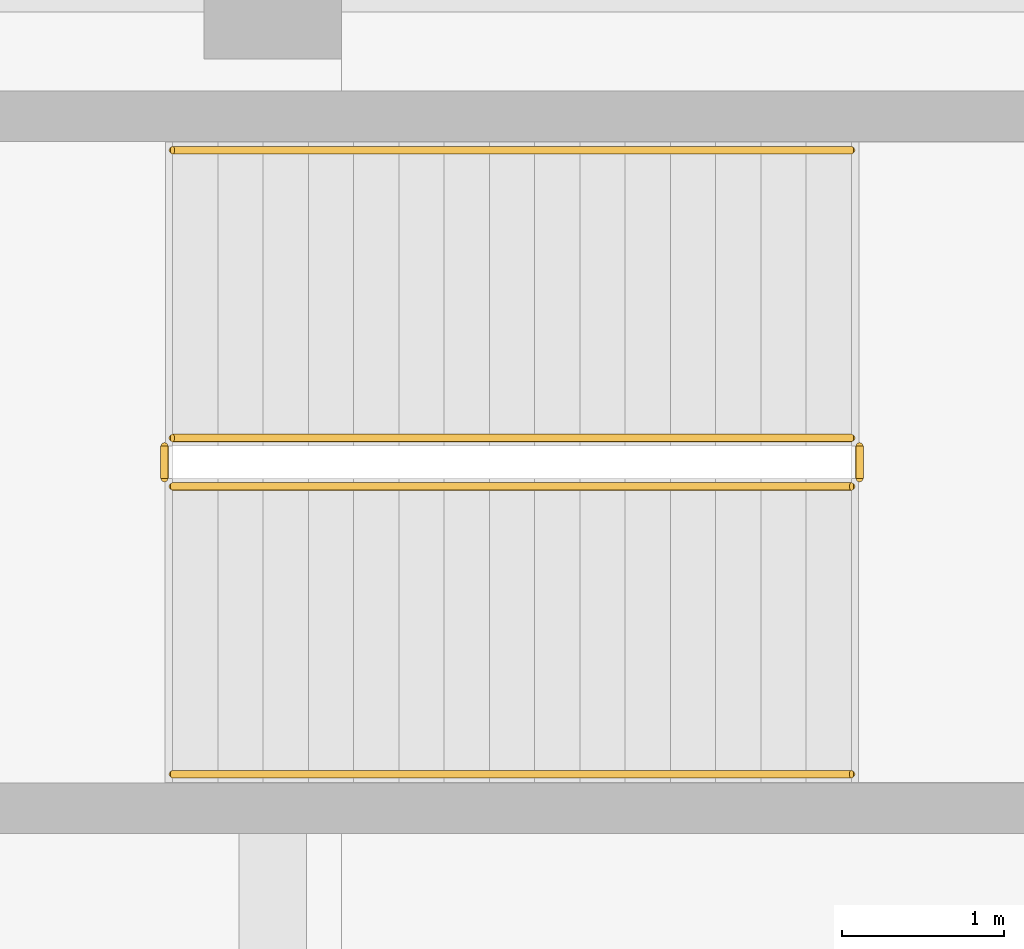
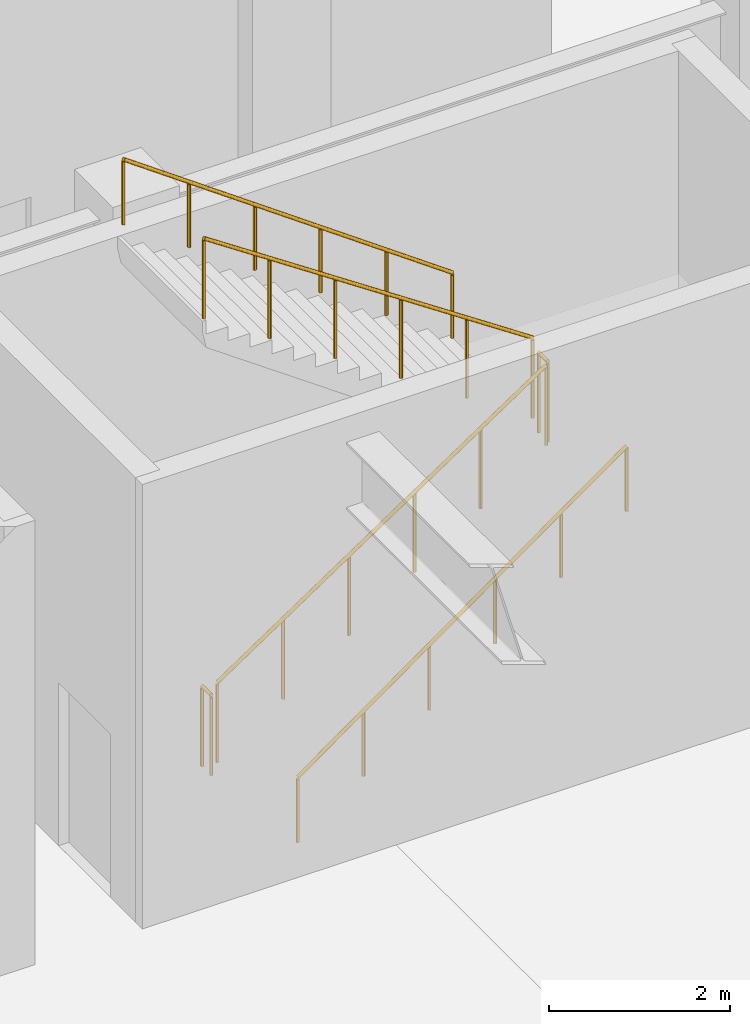
# One storey, part 45 of 49: 6 railings.
"""IFC4 building model written with IfcOpenShell, lengths in metres."""

import ifcopenshell
import ifcopenshell.guid

model = None  # the IFC model being written
_history = None  # IfcOwnerHistory: only IFC2X3 demands one
_inside = {}  # id of a spatial element -> (the spatial element, [elements in it])
_under = {}  # id of a project, library or spatial element -> (it, [spatial elements below it])
_declared = {}  # id of a project -> (the project, [libraries it declares])
_typed = {}  # id of a type object -> (the type object, [elements of that type])
_made_of = {}  # id of a material, layer set ... -> (it, [elements and type objects made of it])


def new_model(schema):
    """Start an empty IFC model of exactly this schema.

    Asked for "IFC4X3", IfcOpenShell would pick the latest addendum, in which some entities
    have other attributes; the version numbers below select the first issue.
    IFC2X3 requires an IfcOwnerHistory on every rooted entity: one is made here for all.
    """
    global model, _history
    if schema == "IFC4X3":
        model = ifcopenshell.file(schema_version=(4, 3, 0, 0))
    else:
        model = ifcopenshell.file(schema=schema)
    _inside.clear()
    _under.clear()
    _declared.clear()
    _typed.clear()
    _made_of.clear()
    _history = None
    if model.schema == "IFC2X3":
        org = make("IfcOrganization", Name="unknown")
        user = make(
            "IfcPersonAndOrganization",
            ThePerson=make("IfcPerson", FamilyName="unknown"),
            TheOrganization=org,
        )
        app = make(
            "IfcApplication",
            ApplicationDeveloper=org,
            Version="unknown",
            ApplicationFullName="unknown",
            ApplicationIdentifier="unknown",
        )
        _history = make(
            "IfcOwnerHistory",
            OwningUser=user,
            OwningApplication=app,
            ChangeAction="ADDED",
            CreationDate=0,
        )
    return model


def make(cls, **values):
    """One entity of the class cls with the attributes given. An attribute that is None is left unset."""
    return model.create_entity(
        cls, **{name: value for name, value in values.items() if value is not None}
    )


def rooted(cls, **values):
    """An entity with a GlobalId (a new one), such as an element, a storey or a relation."""
    return make(cls, GlobalId=ifcopenshell.guid.new(), OwnerHistory=_history, **values)


def si_unit(unit_type, name, prefix=None):
    """IfcSIUnit, for example si_unit("LENGTHUNIT", "METRE", prefix="MILLI")."""
    return make("IfcSIUnit", UnitType=unit_type, Prefix=prefix, Name=name)


def assignment(units):
    """IfcUnitAssignment: the units of a project."""
    return None if units is None else make("IfcUnitAssignment", Units=units)


def point(xyz):
    """IfcCartesianPoint."""
    return None if xyz is None else make("IfcCartesianPoint", Coordinates=xyz)


def direction(xyz):
    """IfcDirection."""
    return None if xyz is None else make("IfcDirection", DirectionRatios=xyz)


def frame(location, z_axis=None, x_axis=None):
    """IfcAxis2Placement3D, a coordinate frame: its origin and axes. An axis left out is left unset."""
    return make(
        "IfcAxis2Placement3D",
        Location=point(location),
        Axis=direction(z_axis),
        RefDirection=direction(x_axis),
    )


def frame_2d(location, x_axis=None):
    """IfcAxis2Placement2D, a coordinate frame in the plane: its origin and x axis."""
    return make(
        "IfcAxis2Placement2D", Location=point(location), RefDirection=direction(x_axis)
    )


def origin():
    """The frame at (0, 0, 0) with its axes left unset."""
    return frame((0.0, 0.0, 0.0))


def origin_2d():
    """The frame at (0, 0) in the plane with its x axis left unset."""
    return frame_2d((0.0, 0.0))


def place(relative_to, where):
    """IfcLocalPlacement: puts the frame where relative to a parent placement (None: the world)."""
    return make(
        "IfcLocalPlacement", PlacementRelTo=relative_to, RelativePlacement=where
    )


def context(
    kind, dimensions, precision=None, world=None, true_north=None, identifier=None
):
    """IfcGeometricRepresentationContext, for example the 3D "Model" context."""
    return make(
        "IfcGeometricRepresentationContext",
        ContextIdentifier=identifier,
        ContextType=kind,
        CoordinateSpaceDimension=dimensions,
        Precision=precision,
        WorldCoordinateSystem=world,
        TrueNorth=true_north,
    )


def subcontext(parent, identifier, kind, view, scale=None):
    """IfcGeometricRepresentationSubContext, for example "Body" below "Model"."""
    return make(
        "IfcGeometricRepresentationSubContext",
        ContextIdentifier=identifier,
        ContextType=kind,
        ParentContext=parent,
        TargetScale=scale,
        TargetView=view,
    )


def project(units=None, contexts=None):
    """IfcProject with its units and contexts."""
    return rooted(
        "IfcProject",
        Name="project",
        RepresentationContexts=contexts,
        UnitsInContext=assignment(units),
    )


def spatial(cls, under=None, at=None, **own):
    """A site, building, storey or space (cls), placed at a placement, below another one or the project."""
    s = rooted(cls, ObjectPlacement=at, **own)
    if under is not None:
        _under.setdefault(under.id(), (under, []))[1].append(s)
    return s


def profile(cls, at=None, kind="AREA", **sizes):
    """A parametric profile (cls). Its sizes go by their IFC names, for example OverallWidth=200.0."""
    return make(cls, ProfileType=kind, Position=at, **sizes)


def circle(**sizes):
    """IfcCircleProfileDef."""
    return profile("IfcCircleProfileDef", **sizes)


def extrude(swept, where, along, depth):
    """IfcExtrudedAreaSolid: the profile swept, set in the frame where, extruded along a direction by depth."""
    return make(
        "IfcExtrudedAreaSolid",
        SweptArea=swept,
        Position=where,
        ExtrudedDirection=direction(along),
        Depth=depth,
    )


def shape(context_of_items, identifier, shape_type, items):
    """IfcShapeRepresentation: the items that make up one representation, for example the "Body"."""
    return make(
        "IfcShapeRepresentation",
        ContextOfItems=context_of_items,
        RepresentationIdentifier=identifier,
        RepresentationType=shape_type,
        Items=items,
    )


def material(Name=None, Category=None):
    """IfcMaterial."""
    return make("IfcMaterial", Name=Name, Category=Category)


def made_of(thing, what):
    """Note that an element or type object is made of a material, layer set ...; save() writes the relation."""
    if what is not None:
        _made_of.setdefault(what.id(), (what, []))[1].append(thing)
    return thing


def type_object(cls, material=None, **own):
    """A type object (cls), such as IfcWallType, which elements share."""
    return made_of(rooted(cls, **own), material)


def element(
    cls,
    number,
    at=None,
    inside=None,
    cuts=None,
    type_object=None,
    material=None,
    context=None,
    identifier="Body",
    shape_type=None,
    held_by="IfcProductDefinitionShape",
    body=None,
    shapes=None,
    **own,
):
    """One element of the class cls, such as IfcWall. Its Tag is "e" and its number.

    at: its placement. inside: the storey or other place that contains it. cuts: it is an
    opening in that element (IfcRelVoidsElement). A single representation is given by context,
    identifier, shape_type and body (its items); several are given by shapes. held_by: the class
    of the entity that holds the representations. save() writes the other relations.
    """
    e = rooted(cls, Tag="e%d" % number, ObjectPlacement=at, **own)
    if body is not None:
        shapes = [shape(context, identifier, shape_type, body)]
    if shapes is not None:
        e.Representation = make(held_by, Representations=shapes)
    if inside is not None:
        _inside.setdefault(inside.id(), (inside, []))[1].append(e)
    if cuts is not None:
        rooted(
            "IfcRelVoidsElement", RelatingBuildingElement=cuts, RelatedOpeningElement=e
        )
    if type_object is not None:
        _typed.setdefault(type_object.id(), (type_object, []))[1].append(e)
    return made_of(e, material)


def aggregate(whole, parts):
    """IfcRelAggregates: a whole, such as a stair, and the parts it consists of."""
    return rooted("IfcRelAggregates", RelatingObject=whole, RelatedObjects=parts)


def save(model, path):
    """Write the relations noted so far, then the file.

    IfcRelAggregates (storeys below a building ...), IfcRelContainedInSpatialStructure (elements
    in a storey), IfcRelDefinesByType, IfcRelAssociatesMaterial and IfcRelDeclares: one each for
    every whole, place, type object, material and project.
    """
    for whole, parts in _under.values():
        aggregate(whole, parts)
    for where, things in _inside.values():
        rooted(
            "IfcRelContainedInSpatialStructure",
            RelatedElements=things,
            RelatingStructure=where,
        )
    for kind, things in _typed.values():
        rooted("IfcRelDefinesByType", RelatedObjects=things, RelatingType=kind)
    for what, things in _made_of.values():
        rooted("IfcRelAssociatesMaterial", RelatedObjects=things, RelatingMaterial=what)
    for by, libraries in _declared.values():
        rooted("IfcRelDeclares", RelatingContext=by, RelatedDefinitions=libraries)
    model.write(path)


model = new_model("IFC4")

# Units and contexts
model_context = context("Model", 3, precision=1e-05, world=origin(), true_north=direction((0.0, 1.0)))
body_context = subcontext(model_context, "Body", "Model", "MODEL_VIEW")
ifc_project = project(units=[si_unit("LENGTHUNIT", "METRE"), si_unit("AREAUNIT", "SQUARE_METRE"), si_unit("VOLUMEUNIT", "CUBIC_METRE"), si_unit("PLANEANGLEUNIT", "RADIAN"), si_unit("MASSUNIT", "GRAM", prefix="KILO")], contexts=[model_context])

# Site, building, storey
site_placement = place(None, origin())
site = spatial("IfcSite", under=ifc_project, at=site_placement, CompositionType="ELEMENT")
building_placement = place(site_placement, origin())
building = spatial("IfcBuilding", under=site, at=building_placement, Name="Tlacozan Convention Centre", CompositionType="ELEMENT")
storey_placement = place(building_placement, origin())
storey = spatial("IfcBuildingStorey", under=building, at=storey_placement, Name="L00", CompositionType="ELEMENT", Elevation=0.0)

# Railings
ifc_material = material(Name="Architectural Painted Galvanised Steel Railing", Category="steel")
railing_type_1 = type_object("IfcRailingType", Name="Stair Wall Handrail 900", PredefinedType="HANDRAIL", material=ifc_material)
railing_1_placement = place(storey_placement, frame((114.8798828125, 52.35009765625, 0.1875)))
element("IfcRailing", 1, at=railing_1_placement, inside=storey, type_object=railing_type_1, Name="L00 ST-18 stair handrail 1", PredefinedType="HANDRAIL", context=body_context, shape_type="SweptSolid", body=[
    extrude(circle(Radius=0.02392578125, at=origin_2d()), frame((0.0, 0.0, 0.8759765625), z_axis=(0.813746254747, 0.0, 0.581220296346), x_axis=(0.0, 1.0, 0.0)), (0.0, 0.0, 1.0), 5.16162109375),
    extrude(circle(Radius=0.02099609375, at=origin_2d()), origin(), (0.0, 0.0, 1.0), 0.851806640625),
    extrude(circle(Radius=0.02099609375, at=origin_2d()), frame((0.840087890625, 0.0, 0.60009765625)), (0.0, 0.0, 1.0), 0.851806640625),
    extrude(circle(Radius=0.02099609375, at=origin_2d()), frame((1.68017578125, 0.0, 1.199951171875)), (0.0, 0.0, 1.0), 0.851806640625),
    extrude(circle(Radius=0.02099609375, at=origin_2d()), frame((2.52001953125, 0.0, 1.800048828125)), (0.0, 0.0, 1.0), 0.851806640625),
    extrude(circle(Radius=0.02099609375, at=origin_2d()), frame((3.360107421875, 0.0, 2.39990234375)), (0.0, 0.0, 1.0), 0.851806640625),
    extrude(circle(Radius=0.02099609375, at=origin_2d()), frame((4.2001953125, 0.0, 3.0)), (0.0, 0.0, 1.0), 0.851806640625),
])
railing_2_placement = place(storey_placement, frame((119.080078125, 56.2099609375, 3.1875)))
element("IfcRailing", 2, at=railing_2_placement, inside=storey, type_object=railing_type_1, Name="L00 ST-18 stair handrail 2", PredefinedType="HANDRAIL", context=body_context, shape_type="SweptSolid", body=[
    extrude(circle(Radius=0.02392578125, at=origin_2d()), frame((0.0, 0.0, 0.8759765625), z_axis=(-0.813746254747, 0.0, 0.581220296346), x_axis=(0.0, -1.0, 0.0)), (0.0, 0.0, 1.0), 5.16162109375),
    extrude(circle(Radius=0.02099609375, at=origin_2d()), origin(), (0.0, 0.0, 1.0), 0.851806640625),
    extrude(circle(Radius=0.02099609375, at=origin_2d()), frame((-0.840087890625, 0.0, 0.60009765625)), (0.0, 0.0, 1.0), 0.851806640625),
    extrude(circle(Radius=0.02099609375, at=origin_2d()), frame((-1.68017578125, 0.0, 1.199951171875)), (0.0, 0.0, 1.0), 0.851806640625),
    extrude(circle(Radius=0.02099609375, at=origin_2d()), frame((-2.52001953125, 0.0, 1.800048828125)), (0.0, 0.0, 1.0), 0.851806640625),
    extrude(circle(Radius=0.02099609375, at=origin_2d()), frame((-3.360107421875, 0.0, 2.39990234375)), (0.0, 0.0, 1.0), 0.851806640625),
    extrude(circle(Radius=0.02099609375, at=origin_2d()), frame((-4.2001953125, 0.0, 3.0)), (0.0, 0.0, 1.0), 0.851806640625),
])
railing_type_2 = type_object("IfcRailingType", Name="Stair Well Guardrail 1100", PredefinedType="GUARDRAIL", material=ifc_material)
railing_3_placement = place(storey_placement, frame((114.8798828125, 54.1298828125, 0.1875)))
element("IfcRailing", 3, at=railing_3_placement, inside=storey, type_object=railing_type_2, Name="L00 ST-18 stair guard 1", PredefinedType="GUARDRAIL", context=body_context, shape_type="SweptSolid", body=[
    extrude(circle(Radius=0.02392578125, at=origin_2d()), frame((0.0, 0.0, 1.076171875), z_axis=(0.830919138977, 0.0, 0.55639319234), x_axis=(0.0, 1.0, 0.0)), (0.0, 0.0, 1.0), 5.054931640625),
    extrude(circle(Radius=0.02099609375, at=origin_2d()), origin(), (0.0, 0.0, 1.0), 1.052001953125),
    extrude(circle(Radius=0.02099609375, at=origin_2d()), frame((0.840087890625, 0.0, 0.5625)), (0.0, 0.0, 1.0), 1.052001953125),
    extrude(circle(Radius=0.02099609375, at=origin_2d()), frame((1.68017578125, 0.0, 1.125)), (0.0, 0.0, 1.0), 1.052001953125),
    extrude(circle(Radius=0.02099609375, at=origin_2d()), frame((2.52001953125, 0.0, 1.6875)), (0.0, 0.0, 1.0), 1.052001953125),
    extrude(circle(Radius=0.02099609375, at=origin_2d()), frame((3.360107421875, 0.0, 2.25)), (0.0, 0.0, 1.0), 1.052001953125),
    extrude(circle(Radius=0.02099609375, at=origin_2d()), frame((4.2001953125, 0.0, 2.8125)), (0.0, 0.0, 1.0), 1.052001953125),
])
railing_4_placement = place(storey_placement, frame((119.1298828125, 54.179931640625, 3.0)))
element("IfcRailing", 4, at=railing_4_placement, inside=storey, type_object=railing_type_2, Name="L00 ST-18 stair guard 2", PredefinedType="GUARDRAIL", context=body_context, shape_type="SweptSolid", body=[
    extrude(circle(Radius=0.02392578125, at=origin_2d()), frame((0.0, 0.0, 1.076171875), z_axis=(0.0, 1.0, 0.0), x_axis=(-1.0, 0.0, 0.0)), (0.0, 0.0, 1.0), 0.199951171875),
    extrude(circle(Radius=0.02099609375, at=origin_2d()), origin(), (0.0, 0.0, 1.0), 1.052001953125),
    extrude(circle(Radius=0.02099609375, at=origin_2d()), frame((0.0, 0.199951171875, 0.0)), (0.0, 0.0, 1.0), 1.052001953125),
])
railing_5_placement = place(storey_placement, frame((119.080078125, 54.429931640625, 3.1875)))
element("IfcRailing", 5, at=railing_5_placement, inside=storey, type_object=railing_type_2, Name="L00 ST-18 stair guard 3", PredefinedType="GUARDRAIL", context=body_context, shape_type="SweptSolid", body=[
    extrude(circle(Radius=0.02392578125, at=origin_2d()), frame((0.0, 0.0, 1.076171875), z_axis=(-0.830919138977, 0.0, 0.55639319234), x_axis=(0.0, -1.0, 0.0)), (0.0, 0.0, 1.0), 5.054931640625),
    extrude(circle(Radius=0.02099609375, at=origin_2d()), origin(), (0.0, 0.0, 1.0), 1.052001953125),
    extrude(circle(Radius=0.02099609375, at=origin_2d()), frame((-0.840087890625, 0.0, 0.5625)), (0.0, 0.0, 1.0), 1.052001953125),
    extrude(circle(Radius=0.02099609375, at=origin_2d()), frame((-1.68017578125, 0.0, 1.125)), (0.0, 0.0, 1.0), 1.052001953125),
    extrude(circle(Radius=0.02099609375, at=origin_2d()), frame((-2.52001953125, 0.0, 1.6875)), (0.0, 0.0, 1.0), 1.052001953125),
    extrude(circle(Radius=0.02099609375, at=origin_2d()), frame((-3.360107421875, 0.0, 2.25)), (0.0, 0.0, 1.0), 1.052001953125),
    extrude(circle(Radius=0.02099609375, at=origin_2d()), frame((-4.2001953125, 0.0, 2.8125)), (0.0, 0.0, 1.0), 1.052001953125),
])
railing_6_placement = place(storey_placement, frame((114.830078125, 54.179931640625, 0.0)))
element("IfcRailing", 6, at=railing_6_placement, inside=storey, type_object=railing_type_2, Name="L00 ST-18 stair guard 4", PredefinedType="GUARDRAIL", context=body_context, shape_type="SweptSolid", body=[
    extrude(circle(Radius=0.02392578125, at=origin_2d()), frame((0.0, 0.0, 1.076171875), z_axis=(0.0, 1.0, 0.0), x_axis=(-1.0, 0.0, 0.0)), (0.0, 0.0, 1.0), 0.199951171875),
    extrude(circle(Radius=0.02099609375, at=origin_2d()), origin(), (0.0, 0.0, 1.0), 1.052001953125),
    extrude(circle(Radius=0.02099609375, at=origin_2d()), frame((0.0, 0.199951171875, 0.0)), (0.0, 0.0, 1.0), 1.052001953125),
])

save(model, "model.ifc")
